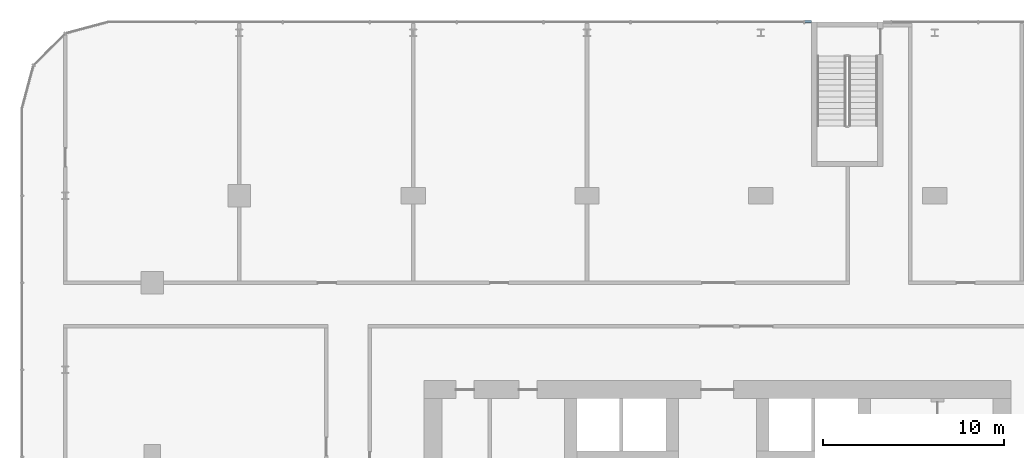
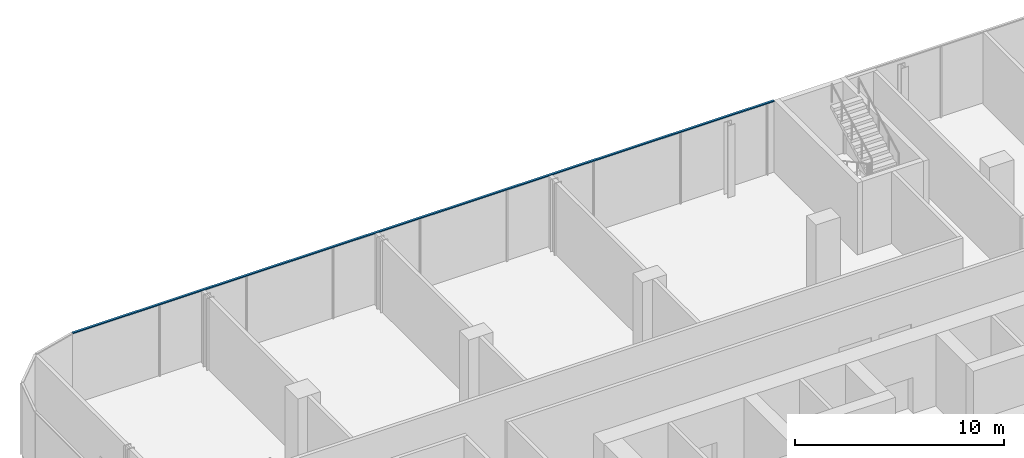
# One storey, part 18 of 38: 1 member, 1 element without a shape of its own.
"""IFC4 building model written with IfcOpenShell, lengths in metres."""

from ifc_helpers import new_model, si_unit, direction, frame, origin, origin_2d, place, context, subcontext, project, spatial, rectangle, extrude, material, layer, layer_set, material_profile, profile_set, type_object, element, aggregate, save


model = new_model("IFC4")

# Units and contexts
model_context = context("Model", 3, precision=1e-05, world=origin(), true_north=direction((0.0, 1.0)))
body_context = subcontext(model_context, "Body", "Model", "MODEL_VIEW")
ifc_project = project(units=[si_unit("LENGTHUNIT", "METRE"), si_unit("AREAUNIT", "SQUARE_METRE"), si_unit("VOLUMEUNIT", "CUBIC_METRE"), si_unit("PLANEANGLEUNIT", "RADIAN"), si_unit("MASSUNIT", "GRAM", prefix="KILO")], contexts=[model_context])

# Site, building, storey
site_placement = place(None, origin())
site = spatial("IfcSite", under=ifc_project, at=site_placement, CompositionType="ELEMENT")
building_placement = place(site_placement, origin())
building = spatial("IfcBuilding", under=site, at=building_placement, Name="Madar Terraces", CompositionType="ELEMENT")
storey_placement = place(building_placement, frame((0.0, 0.0, 15.0)))
storey = spatial("IfcBuildingStorey", under=building, at=storey_placement, Name="L03", CompositionType="ELEMENT", Elevation=15.0)

# Curtain wall, member
ifc_material_1 = material(Name="Glass, clear low-iron, with black aluminium frame", Category="aluminium")
ifc_layer = layer(ifc_material_1, 0.199951171875)
ifc_layer_set = layer_set([ifc_layer], Name="Facade curtain wall, shopfront glazing")
curtain_wall_type = type_object("IfcCurtainWallType", Name="Facade curtain wall, shopfront glazing", PredefinedType="NOTDEFINED", material=ifc_layer_set)
curtain_wall_placement = place(storey_placement, origin())
curtain_wall = element("IfcCurtainWall", 1, at=curtain_wall_placement, inside=storey, type_object=curtain_wall_type, Name="Outer skin curtain wall north bay 1", PredefinedType="NOTDEFINED")
ifc_material_2 = material(Name="Aluminium, black anodised", Category="aluminium")
ifc_material_profile = material_profile(ifc_material_2, rectangle(XDim=0.1201171875, YDim=0.06005859375, at=origin_2d()), Name="Facade transom 60x120")
ifc_profile_set = profile_set([ifc_material_profile], Name="Aluminium, black anodised")
member_type = type_object("IfcMemberType", Name="Facade transom 60x120", PredefinedType="USERDEFINED", material=ifc_profile_set)
member_placement = place(storey_placement, frame((36.39990234375, 57.60009765625, 4.169921875), z_axis=(-1.0, 0.0, 0.0), x_axis=(0.0, -1.0, 0.0)))
member = element("IfcMember", 2, at=member_placement, type_object=member_type, Name="Transom 2", ObjectType="TRANSOM", PredefinedType="USERDEFINED", context=body_context, shape_type="SweptSolid", body=[
    extrude(rectangle(XDim=0.1201171875, YDim=0.06005859375, at=origin_2d()), origin(), (0.0, 0.0, 1.0), 38.7998046875),
])
aggregate(curtain_wall, [member])

save(model, "model.ifc")
